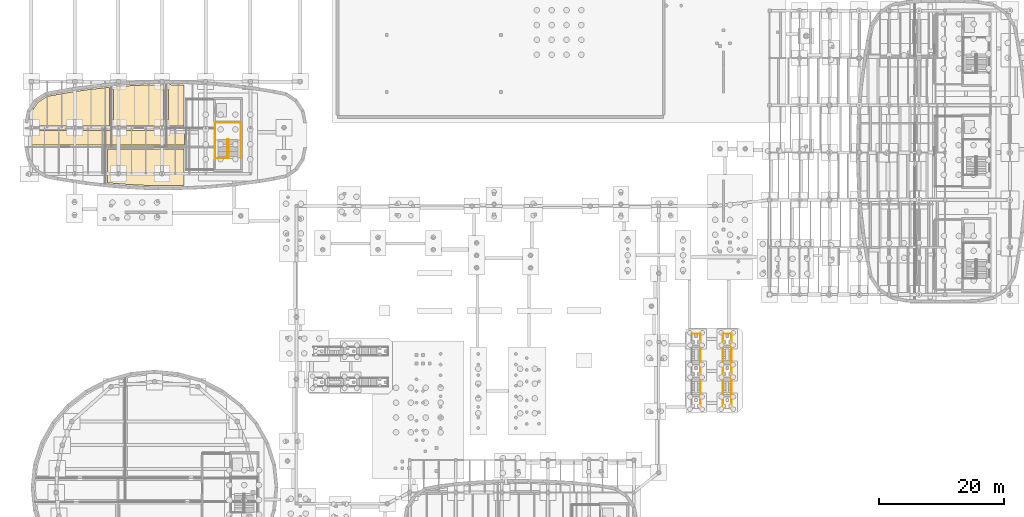
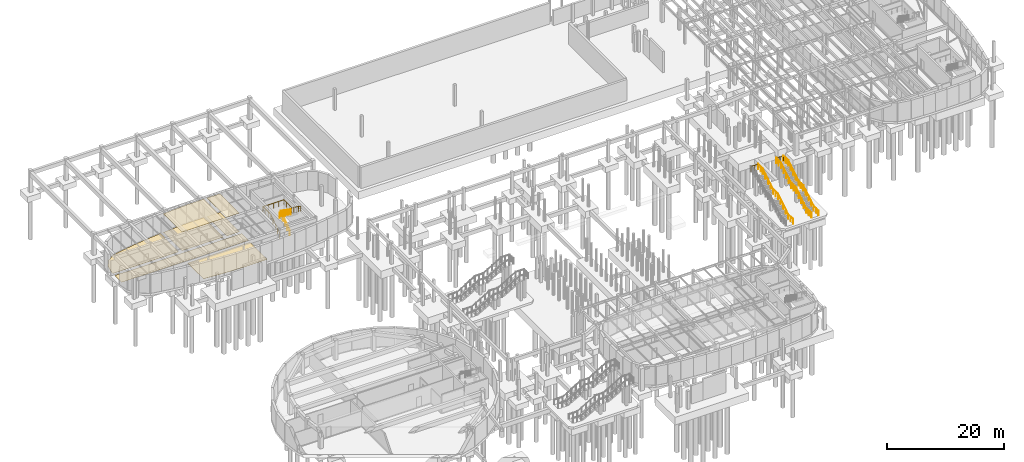
# One storey, part 43 of 45: 8 railings, 7 coverings.
"""IFC4 building model written with IfcOpenShell, lengths in metres."""

from ifc_helpers import new_model, si_unit, direction, frame, origin, origin_2d, place, context, subcontext, project, spatial, polyline, circle, outline, extrude, material, layer, layer_set, type_object, element, save


model = new_model("IFC4")

# Units and contexts
model_context = context("Model", 3, precision=1e-05, world=origin(), true_north=direction((0.0, 1.0)))
body_context = subcontext(model_context, "Body", "Model", "MODEL_VIEW")
ifc_project = project(units=[si_unit("LENGTHUNIT", "METRE"), si_unit("AREAUNIT", "SQUARE_METRE"), si_unit("VOLUMEUNIT", "CUBIC_METRE"), si_unit("PLANEANGLEUNIT", "RADIAN"), si_unit("MASSUNIT", "GRAM", prefix="KILO")], contexts=[model_context])

# Site, building, storey
site_placement = place(None, origin())
site = spatial("IfcSite", under=ifc_project, at=site_placement, CompositionType="ELEMENT")
building_placement = place(site_placement, origin())
building = spatial("IfcBuilding", under=site, at=building_placement, Name="Corveleigh Park Community Centre", CompositionType="ELEMENT")
storey_placement = place(building_placement, frame((0.0, 0.0, -4.199951171875)))
storey = spatial("IfcBuildingStorey", under=building, at=storey_placement, Name="B1", CompositionType="ELEMENT", Elevation=-4.199951171875)

# Coverings
ifc_material_1 = material(Name="Perforated acoustic suspended ceiling", Category="gypsum")
ifc_layer_1 = layer(ifc_material_1, 0.0400390625, Name="Perforated acoustic suspended ceiling", Category="gypsum")
ifc_layer_set_1 = layer_set([ifc_layer_1], Name="Perforated acoustic suspended ceiling")
covering_type_1 = type_object("IfcCoveringType", Name="COV-CLG-ACU", PredefinedType="CEILING", material=ifc_layer_set_1)
covering_1_placement = place(storey_placement, frame((0.0, 0.0, 3.849853515625)))
element("IfcCovering", 1, at=covering_1_placement, inside=storey, type_object=covering_type_1, Name="Sports Changing Room B1 acoustic ceiling", PredefinedType="CEILING", context=body_context, shape_type="SweptSolid", body=[
    extrude(outline(polyline([(29.325927734375, 92.2490234375), (32.56005859375, 92.303955078125), (32.56005859375, 85.639892578125), (24.43994140625, 85.639892578125), (24.43994140625, 91.949951171875), (27.011962890625, 92.139892578125), (29.325927734375, 92.2490234375)])), origin(), (0.0, 0.0, 1.0), 0.0400390625),
])
covering_2_placement = place(storey_placement, frame((0.0, 0.0, 3.849853515625)))
element("IfcCovering", 2, at=covering_2_placement, inside=storey, type_object=covering_type_1, Name="Accessible WC B1 acoustic ceiling", PredefinedType="CEILING", context=body_context, shape_type="SweptSolid", body=[
    extrude(outline(polyline([(35.760009765625, 92.260986328125), (35.760009765625, 85.639892578125), (33.239990234375, 85.639892578125), (33.239990234375, 92.303955078125), (35.760009765625, 92.260986328125)])), origin(), (0.0, 0.0, 1.0), 0.0400390625),
])
ifc_material_2 = material(Name="Acoustic linoleum flooring", Category="wood")
ifc_layer_2 = layer(ifc_material_2, 0.02490234375, Name="Acoustic linoleum flooring", Category="wood")
ifc_layer_set_2 = layer_set([ifc_layer_2], Name="Acoustic linoleum flooring")
covering_type_2 = type_object("IfcCoveringType", Name="COV-FLR-LIN", PredefinedType="FLOORING", material=ifc_layer_set_2)
covering_3_placement = place(storey_placement, origin())
element("IfcCovering", 3, at=covering_3_placement, inside=storey, type_object=covering_type_2, Name="Sports Basement Corridor flooring", PredefinedType="FLOORING", context=body_context, shape_type="SweptSolid", body=[
    extrude(outline(polyline([(10.8349609375, 82.639892578125), (10.823974609375, 84.9599609375), (35.85009765625, 84.9599609375), (35.85009765625, 82.639892578125), (10.8349609375, 82.639892578125)])), origin(), (0.0, 0.0, 1.0), 0.02490234375),
])
covering_4_placement = place(storey_placement, origin())
element("IfcCovering", 4, at=covering_4_placement, inside=storey, type_object=covering_type_2, Name="Sports Changing Room B1 flooring", PredefinedType="FLOORING", context=body_context, shape_type="SweptSolid", body=[
    extrude(outline(polyline([(29.325927734375, 92.2490234375), (32.56005859375, 92.303955078125), (32.56005859375, 85.639892578125), (24.43994140625, 85.639892578125), (24.43994140625, 91.949951171875), (27.011962890625, 92.139892578125), (29.325927734375, 92.2490234375)])), origin(), (0.0, 0.0, 1.0), 0.02490234375),
])
covering_5_placement = place(storey_placement, origin())
element("IfcCovering", 5, at=covering_5_placement, inside=storey, type_object=covering_type_2, Name="Accessible WC B1 flooring", PredefinedType="FLOORING", context=body_context, shape_type="SweptSolid", body=[
    extrude(outline(polyline([(35.760009765625, 92.260986328125), (35.760009765625, 85.639892578125), (33.239990234375, 85.639892578125), (33.239990234375, 92.303955078125), (35.760009765625, 92.260986328125)])), origin(), (0.0, 0.0, 1.0), 0.02490234375),
])
ifc_material_3 = material(Name="Sprung hardwood sports flooring", Category="wood")
ifc_layer_3 = layer(ifc_material_3, 0.044921875, Name="Sprung hardwood sports flooring", Category="wood")
ifc_layer_set_3 = layer_set([ifc_layer_3], Name="Sprung hardwood sports flooring")
covering_type_3 = type_object("IfcCoveringType", Name="COV-FLR-SPR", PredefinedType="FLOORING", material=ifc_layer_set_3)
covering_6_placement = place(storey_placement, origin())
element("IfcCovering", 6, at=covering_6_placement, inside=storey, type_object=covering_type_3, Name="Table Tennis Recreation Room flooring", PredefinedType="FLOORING", context=body_context, shape_type="SweptSolid", body=[
    extrude(outline(polyline([(29.325927734375, 76.15087890625), (27.011962890625, 76.260009765625), (23.43994140625, 76.5458984375), (23.43994140625, 81.9599609375), (35.760009765625, 81.9599609375), (35.760009765625, 76.138916015625), (31.64208984375, 76.095947265625), (29.325927734375, 76.15087890625)])), origin(), (0.0, 0.0, 1.0), 0.044921875),
])
covering_7_placement = place(storey_placement, origin())
element("IfcCovering", 7, at=covering_7_placement, inside=storey, type_object=covering_type_3, Name="Youth Martial Arts Studio flooring", PredefinedType="FLOORING", context=body_context, shape_type="SweptSolid", body=[
    extrude(outline(polyline([(11.197998046875, 87.9169921875), (12.193115234375, 89.406982421875), (13.68310546875, 90.402099609375), (15.51904296875, 90.76708984375), (17.802978515625, 91.14990234375), (20.094970703125, 91.47998046875), (23.760009765625, 91.885009765625), (23.760009765625, 85.639892578125), (10.8330078125, 85.639892578125), (10.839111328125, 86.114013671875), (11.197998046875, 87.9169921875)])), origin(), (0.0, 0.0, 1.0), 0.044921875),
])

# Railings
ifc_material_4 = material(Name="Stainless steel 316 balustrade", Category="steel")
railing_type_1 = type_object("IfcRailingType", Name="RLG-BAL-EXT-1100", PredefinedType="BALUSTRADE", material=ifc_material_4)
railing_1_placement = place(storey_placement, frame((118.705078125, 40.35009765625, 0.0)))
element("IfcRailing", 8, at=railing_1_placement, inside=storey, type_object=railing_type_1, Name="Promenade ST11 guard R", PredefinedType="BALUSTRADE", context=body_context, shape_type="SweptSolid", body=[
    extrude(circle(Radius=0.02392578125, at=origin_2d()), frame((0.0, 0.0, 1.076171875), z_axis=(0.0, 1.0, 0.0), x_axis=(-1.0, 0.0, 0.0)), (0.0, 0.0, 1.0), 1.64990234375),
    extrude(circle(Radius=0.02392578125, at=origin_2d()), frame((0.0, 1.64990234375, 1.076171875), z_axis=(0.0, 0.856202320911, 0.516640673647), x_axis=(-1.0, 0.0, 0.0)), (0.0, 0.0, 1.0), 4.064453125),
    extrude(circle(Radius=0.02392578125, at=origin_2d()), frame((0.0, 5.1298828125, 3.17578125), z_axis=(0.0, 1.0, 0.0), x_axis=(-1.0, 0.0, 0.0)), (0.0, 0.0, 1.0), 1.679931640625),
    extrude(circle(Radius=0.02392578125, at=origin_2d()), frame((0.0, 6.809814453125, 3.17578125), z_axis=(0.0, 0.856175749803, 0.516684706034), x_axis=(-1.0, 0.0, 0.0)), (0.0, 0.0, 1.0), 4.064453125),
    extrude(circle(Radius=0.02392578125, at=origin_2d()), frame((0.0, 10.289794921875, 5.27587890625), z_axis=(0.0, 1.0, 0.0), x_axis=(-1.0, 0.0, 0.0)), (0.0, 0.0, 1.0), 1.650146484375),
    extrude(circle(Radius=0.02099609375, at=origin_2d()), origin(), (0.0, 0.0, 1.0), 1.052001953125),
    extrude(circle(Radius=0.02099609375, at=origin_2d()), frame((0.0, 0.824951171875, 0.0)), (0.0, 0.0, 1.0), 1.052001953125),
    extrude(circle(Radius=0.02099609375, at=origin_2d()), frame((0.0, 1.64990234375, 0.0)), (0.0, 0.0, 1.0), 1.052001953125),
    extrude(circle(Radius=0.02099609375, at=origin_2d()), frame((0.0, 2.52001953125, 0.52490234375)), (0.0, 0.0, 1.0), 1.052001953125),
    extrude(circle(Radius=0.02099609375, at=origin_2d()), frame((0.0, 3.389892578125, 1.0498046875)), (0.0, 0.0, 1.0), 1.052001953125),
    extrude(circle(Radius=0.02099609375, at=origin_2d()), frame((0.0, 4.259765625, 1.574951171875)), (0.0, 0.0, 1.0), 1.052001953125),
    extrude(circle(Radius=0.02099609375, at=origin_2d()), frame((0.0, 5.1298828125, 2.099853515625)), (0.0, 0.0, 1.0), 1.052001953125),
    extrude(circle(Radius=0.02099609375, at=origin_2d()), frame((0.0, 5.9697265625, 2.099853515625)), (0.0, 0.0, 1.0), 1.052001953125),
    extrude(circle(Radius=0.02099609375, at=origin_2d()), frame((0.0, 6.809814453125, 2.099853515625)), (0.0, 0.0, 1.0), 1.052001953125),
    extrude(circle(Radius=0.02099609375, at=origin_2d()), frame((0.0, 7.6796875, 2.625)), (0.0, 0.0, 1.0), 1.052001953125),
    extrude(circle(Radius=0.02099609375, at=origin_2d()), frame((0.0, 8.5498046875, 3.14990234375)), (0.0, 0.0, 1.0), 1.052001953125),
    extrude(circle(Radius=0.02099609375, at=origin_2d()), frame((0.0, 9.419921875, 3.6748046875)), (0.0, 0.0, 1.0), 1.052001953125),
    extrude(circle(Radius=0.02099609375, at=origin_2d()), frame((0.0, 10.289794921875, 4.199951171875)), (0.0, 0.0, 1.0), 1.052001953125),
    extrude(circle(Radius=0.02099609375, at=origin_2d()), frame((0.0, 11.11474609375, 4.199951171875)), (0.0, 0.0, 1.0), 1.052001953125),
    extrude(circle(Radius=0.02099609375, at=origin_2d()), frame((0.0, 11.93994140625, 4.199951171875)), (0.0, 0.0, 1.0), 1.052001953125),
])
railing_2_placement = place(storey_placement, frame((118.695068359375, 52.2900390625, 4.199951171875)))
element("IfcRailing", 9, at=railing_2_placement, inside=storey, type_object=railing_type_1, Name="Promenade ST11 top guard", PredefinedType="BALUSTRADE", context=body_context, shape_type="SweptSolid", body=[
    extrude(circle(Radius=0.02392578125, at=origin_2d()), frame((0.0, 0.0, 1.076171875), z_axis=(-1.0, 0.0, 0.0), x_axis=(0.0, -1.0, 0.0)), (0.0, 0.0, 1.0), 1.39013671875),
    extrude(circle(Radius=0.02099609375, at=origin_2d()), origin(), (0.0, 0.0, 1.0), 1.052001953125),
    extrude(circle(Radius=0.02099609375, at=origin_2d()), frame((-0.695068359375, 0.0, 0.0)), (0.0, 0.0, 1.0), 1.052001953125),
    extrude(circle(Radius=0.02099609375, at=origin_2d()), frame((-1.39013671875, 0.0, 0.0)), (0.0, 0.0, 1.0), 1.052001953125),
])
railing_3_placement = place(storey_placement, frame((122.294921875, 40.35009765625, 0.0)))
element("IfcRailing", 10, at=railing_3_placement, inside=storey, type_object=railing_type_1, Name="Promenade ST12 guard L", PredefinedType="BALUSTRADE", context=body_context, shape_type="SweptSolid", body=[
    extrude(circle(Radius=0.02392578125, at=origin_2d()), frame((0.0, 0.0, 1.076171875), z_axis=(0.0, 1.0, 0.0), x_axis=(-1.0, 0.0, 0.0)), (0.0, 0.0, 1.0), 1.64990234375),
    extrude(circle(Radius=0.02392578125, at=origin_2d()), frame((0.0, 1.64990234375, 1.076171875), z_axis=(0.0, 0.856202320911, 0.516640673647), x_axis=(-1.0, 0.0, 0.0)), (0.0, 0.0, 1.0), 4.064453125),
    extrude(circle(Radius=0.02392578125, at=origin_2d()), frame((0.0, 5.1298828125, 3.17578125), z_axis=(0.0, 1.0, 0.0), x_axis=(-1.0, 0.0, 0.0)), (0.0, 0.0, 1.0), 1.679931640625),
    extrude(circle(Radius=0.02392578125, at=origin_2d()), frame((0.0, 6.809814453125, 3.17578125), z_axis=(0.0, 0.856175749803, 0.516684706034), x_axis=(-1.0, 0.0, 0.0)), (0.0, 0.0, 1.0), 4.064453125),
    extrude(circle(Radius=0.02392578125, at=origin_2d()), frame((0.0, 10.289794921875, 5.27587890625), z_axis=(0.0, 1.0, 0.0), x_axis=(-1.0, 0.0, 0.0)), (0.0, 0.0, 1.0), 1.650146484375),
    extrude(circle(Radius=0.02099609375, at=origin_2d()), origin(), (0.0, 0.0, 1.0), 1.052001953125),
    extrude(circle(Radius=0.02099609375, at=origin_2d()), frame((0.0, 0.824951171875, 0.0)), (0.0, 0.0, 1.0), 1.052001953125),
    extrude(circle(Radius=0.02099609375, at=origin_2d()), frame((0.0, 1.64990234375, 0.0)), (0.0, 0.0, 1.0), 1.052001953125),
    extrude(circle(Radius=0.02099609375, at=origin_2d()), frame((0.0, 2.52001953125, 0.52490234375)), (0.0, 0.0, 1.0), 1.052001953125),
    extrude(circle(Radius=0.02099609375, at=origin_2d()), frame((0.0, 3.389892578125, 1.0498046875)), (0.0, 0.0, 1.0), 1.052001953125),
    extrude(circle(Radius=0.02099609375, at=origin_2d()), frame((0.0, 4.259765625, 1.574951171875)), (0.0, 0.0, 1.0), 1.052001953125),
    extrude(circle(Radius=0.02099609375, at=origin_2d()), frame((0.0, 5.1298828125, 2.099853515625)), (0.0, 0.0, 1.0), 1.052001953125),
    extrude(circle(Radius=0.02099609375, at=origin_2d()), frame((0.0, 5.9697265625, 2.099853515625)), (0.0, 0.0, 1.0), 1.052001953125),
    extrude(circle(Radius=0.02099609375, at=origin_2d()), frame((0.0, 6.809814453125, 2.099853515625)), (0.0, 0.0, 1.0), 1.052001953125),
    extrude(circle(Radius=0.02099609375, at=origin_2d()), frame((0.0, 7.6796875, 2.625)), (0.0, 0.0, 1.0), 1.052001953125),
    extrude(circle(Radius=0.02099609375, at=origin_2d()), frame((0.0, 8.5498046875, 3.14990234375)), (0.0, 0.0, 1.0), 1.052001953125),
    extrude(circle(Radius=0.02099609375, at=origin_2d()), frame((0.0, 9.419921875, 3.6748046875)), (0.0, 0.0, 1.0), 1.052001953125),
    extrude(circle(Radius=0.02099609375, at=origin_2d()), frame((0.0, 10.289794921875, 4.199951171875)), (0.0, 0.0, 1.0), 1.052001953125),
    extrude(circle(Radius=0.02099609375, at=origin_2d()), frame((0.0, 11.11474609375, 4.199951171875)), (0.0, 0.0, 1.0), 1.052001953125),
    extrude(circle(Radius=0.02099609375, at=origin_2d()), frame((0.0, 11.93994140625, 4.199951171875)), (0.0, 0.0, 1.0), 1.052001953125),
])
railing_4_placement = place(storey_placement, frame((123.705078125, 40.35009765625, 0.0)))
element("IfcRailing", 11, at=railing_4_placement, inside=storey, type_object=railing_type_1, Name="Promenade ST12 guard R", PredefinedType="BALUSTRADE", context=body_context, shape_type="SweptSolid", body=[
    extrude(circle(Radius=0.02392578125, at=origin_2d()), frame((0.0, 0.0, 1.076171875), z_axis=(0.0, 1.0, 0.0), x_axis=(-1.0, 0.0, 0.0)), (0.0, 0.0, 1.0), 1.64990234375),
    extrude(circle(Radius=0.02392578125, at=origin_2d()), frame((0.0, 1.64990234375, 1.076171875), z_axis=(0.0, 0.856202320911, 0.516640673647), x_axis=(-1.0, 0.0, 0.0)), (0.0, 0.0, 1.0), 4.064453125),
    extrude(circle(Radius=0.02392578125, at=origin_2d()), frame((0.0, 5.1298828125, 3.17578125), z_axis=(0.0, 1.0, 0.0), x_axis=(-1.0, 0.0, 0.0)), (0.0, 0.0, 1.0), 1.679931640625),
    extrude(circle(Radius=0.02392578125, at=origin_2d()), frame((0.0, 6.809814453125, 3.17578125), z_axis=(0.0, 0.856175749803, 0.516684706034), x_axis=(-1.0, 0.0, 0.0)), (0.0, 0.0, 1.0), 4.064453125),
    extrude(circle(Radius=0.02392578125, at=origin_2d()), frame((0.0, 10.289794921875, 5.27587890625), z_axis=(0.0, 1.0, 0.0), x_axis=(-1.0, 0.0, 0.0)), (0.0, 0.0, 1.0), 1.650146484375),
    extrude(circle(Radius=0.02099609375, at=origin_2d()), origin(), (0.0, 0.0, 1.0), 1.052001953125),
    extrude(circle(Radius=0.02099609375, at=origin_2d()), frame((0.0, 0.824951171875, 0.0)), (0.0, 0.0, 1.0), 1.052001953125),
    extrude(circle(Radius=0.02099609375, at=origin_2d()), frame((0.0, 1.64990234375, 0.0)), (0.0, 0.0, 1.0), 1.052001953125),
    extrude(circle(Radius=0.02099609375, at=origin_2d()), frame((0.0, 2.52001953125, 0.52490234375)), (0.0, 0.0, 1.0), 1.052001953125),
    extrude(circle(Radius=0.02099609375, at=origin_2d()), frame((0.0, 3.389892578125, 1.0498046875)), (0.0, 0.0, 1.0), 1.052001953125),
    extrude(circle(Radius=0.02099609375, at=origin_2d()), frame((0.0, 4.259765625, 1.574951171875)), (0.0, 0.0, 1.0), 1.052001953125),
    extrude(circle(Radius=0.02099609375, at=origin_2d()), frame((0.0, 5.1298828125, 2.099853515625)), (0.0, 0.0, 1.0), 1.052001953125),
    extrude(circle(Radius=0.02099609375, at=origin_2d()), frame((0.0, 5.9697265625, 2.099853515625)), (0.0, 0.0, 1.0), 1.052001953125),
    extrude(circle(Radius=0.02099609375, at=origin_2d()), frame((0.0, 6.809814453125, 2.099853515625)), (0.0, 0.0, 1.0), 1.052001953125),
    extrude(circle(Radius=0.02099609375, at=origin_2d()), frame((0.0, 7.6796875, 2.625)), (0.0, 0.0, 1.0), 1.052001953125),
    extrude(circle(Radius=0.02099609375, at=origin_2d()), frame((0.0, 8.5498046875, 3.14990234375)), (0.0, 0.0, 1.0), 1.052001953125),
    extrude(circle(Radius=0.02099609375, at=origin_2d()), frame((0.0, 9.419921875, 3.6748046875)), (0.0, 0.0, 1.0), 1.052001953125),
    extrude(circle(Radius=0.02099609375, at=origin_2d()), frame((0.0, 10.289794921875, 4.199951171875)), (0.0, 0.0, 1.0), 1.052001953125),
    extrude(circle(Radius=0.02099609375, at=origin_2d()), frame((0.0, 11.11474609375, 4.199951171875)), (0.0, 0.0, 1.0), 1.052001953125),
    extrude(circle(Radius=0.02099609375, at=origin_2d()), frame((0.0, 11.93994140625, 4.199951171875)), (0.0, 0.0, 1.0), 1.052001953125),
])
railing_5_placement = place(storey_placement, frame((123.695068359375, 52.2900390625, 4.199951171875)))
element("IfcRailing", 12, at=railing_5_placement, inside=storey, type_object=railing_type_1, Name="Promenade ST12 top guard", PredefinedType="BALUSTRADE", context=body_context, shape_type="SweptSolid", body=[
    extrude(circle(Radius=0.02392578125, at=origin_2d()), frame((0.0, 0.0, 1.076171875), z_axis=(-1.0, 0.0, 0.0), x_axis=(0.0, -1.0, 0.0)), (0.0, 0.0, 1.0), 1.39013671875),
    extrude(circle(Radius=0.02099609375, at=origin_2d()), origin(), (0.0, 0.0, 1.0), 1.052001953125),
    extrude(circle(Radius=0.02099609375, at=origin_2d()), frame((-0.695068359375, 0.0, 0.0)), (0.0, 0.0, 1.0), 1.052001953125),
    extrude(circle(Radius=0.02099609375, at=origin_2d()), frame((-1.39013671875, 0.0, 0.0)), (0.0, 0.0, 1.0), 1.052001953125),
])
railing_type_2 = type_object("IfcRailingType", Name="RLG-BAL-INT-1100", PredefinedType="BALUSTRADE", material=ifc_material_4)
railing_6_placement = place(storey_placement, frame((42.699951171875, 80.47998046875, 0.0)))
element("IfcRailing", 13, at=railing_6_placement, inside=storey, type_object=railing_type_2, Name="Stair ST3 inner guard B1", PredefinedType="BALUSTRADE", context=body_context, shape_type="SweptSolid", body=[
    extrude(circle(Radius=0.02392578125, at=origin_2d()), frame((0.0, 0.0, 1.076171875), z_axis=(0.0, 0.821468317647, 0.570254156585), x_axis=(-1.0, 0.0, 0.0)), (0.0, 0.0, 1.0), 3.682373046875),
    extrude(circle(Radius=0.02392578125, at=origin_2d()), frame((0.0, 3.02490234375, 3.17578125), z_axis=(1.0, 0.0, 0.0), x_axis=(0.0, 1.0, 0.0)), (0.0, 0.0, 1.0), 0.199951171875),
    extrude(circle(Radius=0.02392578125, at=origin_2d()), frame((0.199951171875, 3.02490234375, 3.17578125), z_axis=(0.0, -0.821437259224, 0.57029889458), x_axis=(1.0, 0.0, 0.0)), (0.0, 0.0, 1.0), 3.682373046875),
    extrude(circle(Radius=0.02099609375, at=origin_2d()), origin(), (0.0, 0.0, 1.0), 1.052001953125),
    extrude(circle(Radius=0.02099609375, at=origin_2d()), frame((0.0, 0.75634765625, 0.52490234375)), (0.0, 0.0, 1.0), 1.052001953125),
    extrude(circle(Radius=0.02099609375, at=origin_2d()), frame((0.0, 1.512451171875, 1.0498046875)), (0.0, 0.0, 1.0), 1.052001953125),
    extrude(circle(Radius=0.02099609375, at=origin_2d()), frame((0.0, 2.2685546875, 1.574951171875)), (0.0, 0.0, 1.0), 1.052001953125),
    extrude(circle(Radius=0.02099609375, at=origin_2d()), frame((0.0, 3.02490234375, 2.099853515625)), (0.0, 0.0, 1.0), 1.052001953125),
    extrude(circle(Radius=0.02099609375, at=origin_2d()), frame((0.199951171875, 3.02490234375, 2.099853515625)), (0.0, 0.0, 1.0), 1.052001953125),
    extrude(circle(Radius=0.02099609375, at=origin_2d()), frame((0.199951171875, 2.2685546875, 2.625)), (0.0, 0.0, 1.0), 1.052001953125),
    extrude(circle(Radius=0.02099609375, at=origin_2d()), frame((0.199951171875, 1.512451171875, 3.14990234375)), (0.0, 0.0, 1.0), 1.052001953125),
    extrude(circle(Radius=0.02099609375, at=origin_2d()), frame((0.199951171875, 0.75634765625, 3.6748046875)), (0.0, 0.0, 1.0), 1.052001953125),
    extrude(circle(Radius=0.02099609375, at=origin_2d()), frame((0.199951171875, 0.0, 4.199951171875)), (0.0, 0.0, 1.0), 1.052001953125),
])
railing_7_placement = place(storey_placement, frame((40.7548828125, 80.47998046875, 4.199951171875)))
element("IfcRailing", 14, at=railing_7_placement, inside=storey, type_object=railing_type_2, Name="Stair ST3 landing guard B1", PredefinedType="BALUSTRADE", context=body_context, shape_type="SweptSolid", body=[
    extrude(circle(Radius=0.02392578125, at=origin_2d()), frame((0.0, 0.0, 1.076171875), z_axis=(1.0, 0.0, 0.0), x_axis=(0.0, 1.0, 0.0)), (0.0, 0.0, 1.0), 2.14501953125),
    extrude(circle(Radius=0.02099609375, at=origin_2d()), origin(), (0.0, 0.0, 1.0), 1.052001953125),
    extrude(circle(Radius=0.02099609375, at=origin_2d()), frame((1.072509765625, 0.0, 0.0)), (0.0, 0.0, 1.0), 1.052001953125),
    extrude(circle(Radius=0.02099609375, at=origin_2d()), frame((2.14501953125, 0.0, 0.0)), (0.0, 0.0, 1.0), 1.052001953125),
])
railing_8_placement = place(storey_placement, frame((40.735107421875, 80.47998046875, 0.0)))
element("IfcRailing", 15, at=railing_8_placement, inside=storey, type_object=railing_type_2, Name="Stair ST3 perimeter guard B1", PredefinedType="BALUSTRADE", context=body_context, shape_type="SweptSolid", body=[
    extrude(circle(Radius=0.02392578125, at=origin_2d()), frame((0.0, 0.0, 1.076171875), z_axis=(0.0, 0.821468317647, 0.570254156585), x_axis=(-1.0, 0.0, 0.0)), (0.0, 0.0, 1.0), 3.682373046875),
    extrude(circle(Radius=0.02392578125, at=origin_2d()), frame((0.0, 3.02490234375, 3.17578125), z_axis=(0.0, 1.0, 0.0), x_axis=(-1.0, 0.0, 0.0)), (0.0, 0.0, 1.0), 2.688232421875),
    extrude(circle(Radius=0.02392578125, at=origin_2d()), frame((0.0, 5.713134765625, 3.17578125), z_axis=(1.0, 0.0, 0.0), x_axis=(0.0, 1.0, 0.0)), (0.0, 0.0, 1.0), 4.130859375),
    extrude(circle(Radius=0.02392578125, at=origin_2d()), frame((4.130859375, 5.713134765625, 3.17578125), z_axis=(0.0, -1.0, 0.0), x_axis=(1.0, 0.0, 0.0)), (0.0, 0.0, 1.0), 2.688232421875),
    extrude(circle(Radius=0.02392578125, at=origin_2d()), frame((4.130859375, 3.02490234375, 3.17578125), z_axis=(0.0, -0.821437259224, 0.57029889458), x_axis=(1.0, 0.0, 0.0)), (0.0, 0.0, 1.0), 3.682373046875),
    extrude(circle(Radius=0.02099609375, at=origin_2d()), origin(), (0.0, 0.0, 1.0), 1.052001953125),
    extrude(circle(Radius=0.02099609375, at=origin_2d()), frame((0.0, 0.75634765625, 0.52490234375)), (0.0, 0.0, 1.0), 1.052001953125),
    extrude(circle(Radius=0.02099609375, at=origin_2d()), frame((0.0, 1.512451171875, 1.0498046875)), (0.0, 0.0, 1.0), 1.052001953125),
    extrude(circle(Radius=0.02099609375, at=origin_2d()), frame((0.0, 2.2685546875, 1.574951171875)), (0.0, 0.0, 1.0), 1.052001953125),
    extrude(circle(Radius=0.02099609375, at=origin_2d()), frame((0.0, 3.02490234375, 2.099853515625)), (0.0, 0.0, 1.0), 1.052001953125),
    extrude(circle(Radius=0.02099609375, at=origin_2d()), frame((0.0, 3.9208984375, 2.099853515625)), (0.0, 0.0, 1.0), 1.052001953125),
    extrude(circle(Radius=0.02099609375, at=origin_2d()), frame((0.0, 4.817138671875, 2.099853515625)), (0.0, 0.0, 1.0), 1.052001953125),
    extrude(circle(Radius=0.02099609375, at=origin_2d()), frame((0.0, 5.713134765625, 2.099853515625)), (0.0, 0.0, 1.0), 1.052001953125),
    extrude(circle(Radius=0.02099609375, at=origin_2d()), frame((1.03271484375, 5.713134765625, 2.099853515625)), (0.0, 0.0, 1.0), 1.052001953125),
    extrude(circle(Radius=0.02099609375, at=origin_2d()), frame((2.0654296875, 5.713134765625, 2.099853515625)), (0.0, 0.0, 1.0), 1.052001953125),
    extrude(circle(Radius=0.02099609375, at=origin_2d()), frame((3.09814453125, 5.713134765625, 2.099853515625)), (0.0, 0.0, 1.0), 1.052001953125),
    extrude(circle(Radius=0.02099609375, at=origin_2d()), frame((4.130859375, 5.713134765625, 2.099853515625)), (0.0, 0.0, 1.0), 1.052001953125),
    extrude(circle(Radius=0.02099609375, at=origin_2d()), frame((4.130859375, 4.817138671875, 2.099853515625)), (0.0, 0.0, 1.0), 1.052001953125),
    extrude(circle(Radius=0.02099609375, at=origin_2d()), frame((4.130859375, 3.9208984375, 2.099853515625)), (0.0, 0.0, 1.0), 1.052001953125),
    extrude(circle(Radius=0.02099609375, at=origin_2d()), frame((4.130859375, 3.02490234375, 2.099853515625)), (0.0, 0.0, 1.0), 1.052001953125),
    extrude(circle(Radius=0.02099609375, at=origin_2d()), frame((4.130859375, 2.2685546875, 2.625)), (0.0, 0.0, 1.0), 1.052001953125),
    extrude(circle(Radius=0.02099609375, at=origin_2d()), frame((4.130859375, 1.512451171875, 3.14990234375)), (0.0, 0.0, 1.0), 1.052001953125),
    extrude(circle(Radius=0.02099609375, at=origin_2d()), frame((4.130859375, 0.75634765625, 3.6748046875)), (0.0, 0.0, 1.0), 1.052001953125),
    extrude(circle(Radius=0.02099609375, at=origin_2d()), frame((4.130859375, 0.0, 4.199951171875)), (0.0, 0.0, 1.0), 1.052001953125),
])

save(model, "model.ifc")
